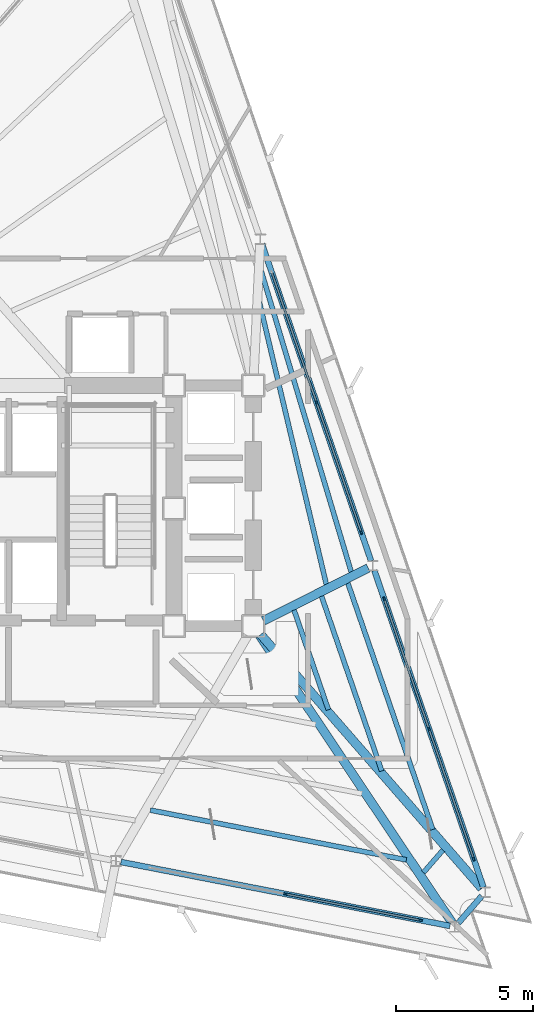
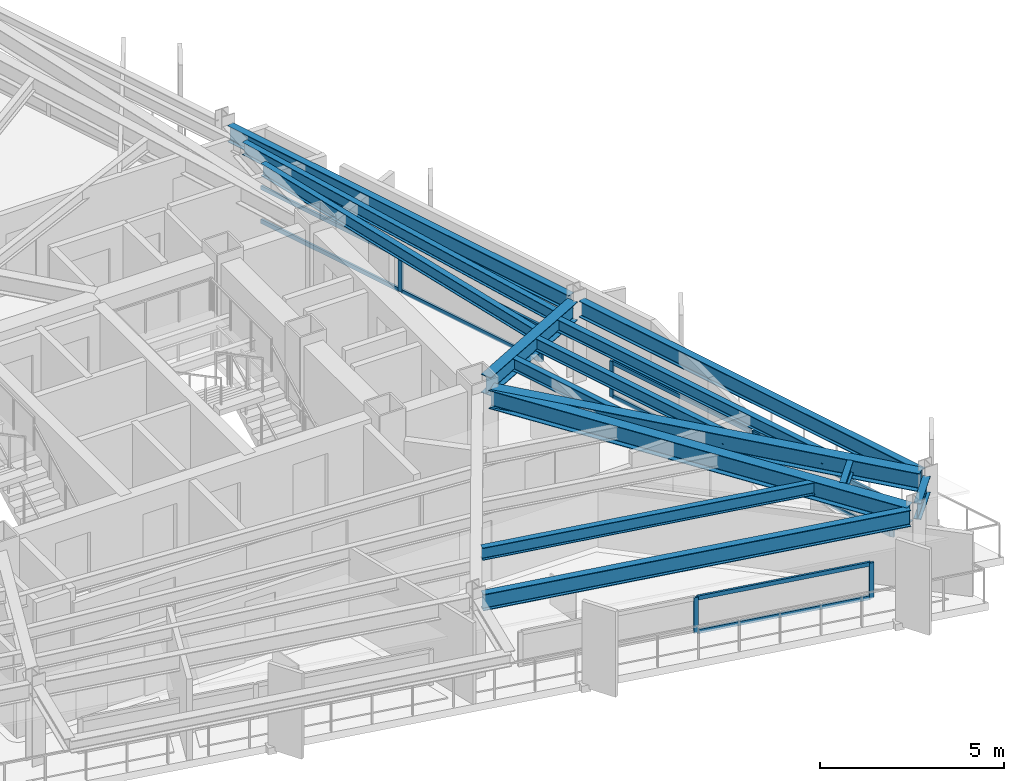
# One storey, part 6 of 14: 17 members, 14 beams, 3 elements without a shape of their own.
"""IFC4 building model written with IfcOpenShell, lengths in metres."""

from ifc_helpers import new_model, si_unit, direction, frame, origin, origin_2d, place, context, subcontext, project, spatial, rectangle, i_section, extrude, material, layer, layer_set, material_profile, profile_set, type_object, element, aggregate, save


model = new_model("IFC4")

# Units and contexts
model_context = context("Model", 3, precision=1e-05, world=origin(), true_north=direction((0.0, 1.0)))
body_context = subcontext(model_context, "Body", "Model", "MODEL_VIEW")
ifc_project = project(units=[si_unit("LENGTHUNIT", "METRE"), si_unit("AREAUNIT", "SQUARE_METRE"), si_unit("VOLUMEUNIT", "CUBIC_METRE"), si_unit("PLANEANGLEUNIT", "RADIAN"), si_unit("MASSUNIT", "GRAM", prefix="KILO")], contexts=[model_context])

# Site, building, storey
site_placement = place(None, origin())
site = spatial("IfcSite", under=ifc_project, at=site_placement, CompositionType="ELEMENT")
building_placement = place(site_placement, origin())
building = spatial("IfcBuilding", under=site, at=building_placement, Name="Rocaltana Carrier Exchange", CompositionType="ELEMENT")
storey_placement = place(building_placement, frame((0.0, 0.0, 168.47998046875)))
storey = spatial("IfcBuildingStorey", under=building, at=storey_placement, Name="L53", CompositionType="ELEMENT", Elevation=168.47998046875)

# Curtain wall, members
ifc_material_1 = material(Name="Aluminium 6063-T6", Category="aluminium")
ifc_layer = layer(ifc_material_1, 0.135009765625)
ifc_layer_set = layer_set([ifc_layer], Name="Aluminium 6063-T6")
curtain_wall_type = type_object("IfcCurtainWallType", Name="Upper-Mid Acoustic Curtain Wall CW-04", PredefinedType="NOTDEFINED", material=ifc_layer_set)
curtain_wall_1_placement = place(storey_placement, origin())
curtain_wall_1 = element("IfcCurtainWall", 1, at=curtain_wall_1_placement, inside=storey, type_object=curtain_wall_type, Name="L53 CW-04 Run CW-L53-F1S1", PredefinedType="NOTDEFINED")
ifc_material_2 = material(Name="Aluminium 6063-T6", Category="aluminium")
ifc_material_profile_1 = material_profile(ifc_material_2, rectangle(XDim=0.06494140625, YDim=0.135009765625, at=origin_2d()), Name="AL-65X135")
ifc_profile_set_1 = profile_set([ifc_material_profile_1], Name="Aluminium 6063-T6")
member_type_1 = type_object("IfcMemberType", Name="CW-04 Mullion AL-65X135", PredefinedType="MULLION", material=ifc_profile_set_1)
member_1_placement = place(storey_placement, frame((17.016357421875, -12.826171875, 0.0), z_axis=(0.0, 0.0, 1.0), x_axis=(-0.945521800517, -0.325558788464, 0.0)))
member_1 = element("IfcMember", 2, at=member_1_placement, type_object=member_type_1, Name="CW-04 mullion 1", PredefinedType="MULLION", context=body_context, shape_type="SweptSolid", body=[
    extrude(rectangle(XDim=0.06494140625, YDim=0.135009765625, at=origin_2d()), origin(), (0.0, 0.0, 1.0), 1.177978515625),
])
member_2_placement = place(storey_placement, frame((15.37744140625, -8.06640625, 0.0), z_axis=(0.0, 0.0, 1.0), x_axis=(-0.945521800517, -0.325558788464, 0.0)))
member_2 = element("IfcMember", 3, at=member_2_placement, type_object=member_type_1, Name="CW-04 mullion 2", PredefinedType="MULLION", context=body_context, shape_type="SweptSolid", body=[
    extrude(rectangle(XDim=0.06494140625, YDim=0.135009765625, at=origin_2d()), origin(), (0.0, 0.0, 1.0), 1.177978515625),
])
member_3_placement = place(storey_placement, frame((13.738525390625, -3.306396484375, 0.0), z_axis=(0.0, 0.0, 1.0), x_axis=(-0.945521800517, -0.325558788464, 0.0)))
member_3 = element("IfcMember", 4, at=member_3_placement, type_object=member_type_1, Name="CW-04 mullion 3", PredefinedType="MULLION", context=body_context, shape_type="SweptSolid", body=[
    extrude(rectangle(XDim=0.06494140625, YDim=0.135009765625, at=origin_2d()), origin(), (0.0, 0.0, 1.0), 1.177978515625),
])

curtain_wall_2_placement = place(storey_placement, origin())
curtain_wall_2 = element("IfcCurtainWall", 5, at=curtain_wall_2_placement, inside=storey, type_object=curtain_wall_type, Name="L53 CW-04 Run CW-L53-F1S2", PredefinedType="NOTDEFINED")
member_4_placement = place(storey_placement, frame((12.9033203125, -0.881103515625, 0.0), z_axis=(0.0, 0.0, 1.0), x_axis=(-0.945520754562, -0.32556182622, 0.0)))
member_4 = element("IfcMember", 6, at=member_4_placement, type_object=member_type_1, Name="CW-04 mullion 1", PredefinedType="MULLION", context=body_context, shape_type="SweptSolid", body=[
    extrude(rectangle(XDim=0.06494140625, YDim=0.135009765625, at=origin_2d()), origin(), (0.0, 0.0, 1.0), 1.177978515625),
])
member_5_placement = place(storey_placement, frame((11.264404296875, 3.878662109375, 0.0), z_axis=(0.0, 0.0, 1.0), x_axis=(-0.945520754562, -0.32556182622, 0.0)))
member_5 = element("IfcMember", 7, at=member_5_placement, type_object=member_type_1, Name="CW-04 mullion 2", PredefinedType="MULLION", context=body_context, shape_type="SweptSolid", body=[
    extrude(rectangle(XDim=0.06494140625, YDim=0.135009765625, at=origin_2d()), origin(), (0.0, 0.0, 1.0), 1.177978515625),
])

curtain_wall_3_placement = place(storey_placement, origin())
curtain_wall_3 = element("IfcCurtainWall", 8, at=curtain_wall_3_placement, inside=storey, type_object=curtain_wall_type, Name="L53 CW-04 Run CW-L53-F3S3", PredefinedType="NOTDEFINED")
member_6_placement = place(storey_placement, frame((10.1279296875, -14.105224609375, 0.0), z_axis=(0.0, 0.0, 1.0), x_axis=(0.190805209699, 0.981627919301, 0.0)))
member_6 = element("IfcMember", 9, at=member_6_placement, type_object=member_type_1, Name="CW-04 mullion 2", PredefinedType="MULLION", context=body_context, shape_type="SweptSolid", body=[
    extrude(rectangle(XDim=0.06494140625, YDim=0.135009765625, at=origin_2d()), origin(), (0.0, 0.0, 1.0), 1.177978515625),
])
member_7_placement = place(storey_placement, frame((15.069580078125, -15.06591796875, 0.0), z_axis=(0.0, 0.0, 1.0), x_axis=(0.190805209699, 0.981627919301, 0.0)))
member_7 = element("IfcMember", 10, at=member_7_placement, type_object=member_type_1, Name="CW-04 mullion 3", PredefinedType="MULLION", context=body_context, shape_type="SweptSolid", body=[
    extrude(rectangle(XDim=0.06494140625, YDim=0.135009765625, at=origin_2d()), origin(), (0.0, 0.0, 1.0), 1.177978515625),
])

# Member
ifc_material_3 = material(Name="Aluminium 6063-T6", Category="aluminium")
ifc_material_profile_2 = material_profile(ifc_material_3, rectangle(XDim=0.06494140625, YDim=0.135009765625, at=origin_2d()), Name="AL-65X135")
ifc_profile_set_2 = profile_set([ifc_material_profile_2], Name="Aluminium 6063-T6")
member_type_2 = type_object("IfcMemberType", Name="CW-04 Transom AL-65X135", PredefinedType="USERDEFINED", material=ifc_profile_set_2)
member_8_placement = place(storey_placement, frame((17.005859375, -12.795654296875, 0.032470703125), z_axis=(-0.325542462737, 0.945527421578, 0.0), x_axis=(-0.945527421578, -0.325542462737, 0.0)))
member_8 = element("IfcMember", 11, at=member_8_placement, type_object=member_type_2, Name="CW-04 transom 1.1", ObjectType="TRANSOM", PredefinedType="USERDEFINED", context=body_context, shape_type="SweptSolid", body=[
    extrude(rectangle(XDim=0.06494140625, YDim=0.135009765625, at=origin_2d()), origin(), (0.0, 0.0, 1.0), 4.96923828125),
])

member_9_placement = place(storey_placement, frame((17.005859375, -12.795654296875, 1.1455078125), z_axis=(-0.325542462737, 0.945527421578, 0.0), x_axis=(-0.945527421578, -0.325542462737, 0.0)))
member_9 = element("IfcMember", 12, at=member_9_placement, type_object=member_type_2, Name="CW-04 transom 1.2", ObjectType="TRANSOM", PredefinedType="USERDEFINED", context=body_context, shape_type="SweptSolid", body=[
    extrude(rectangle(XDim=0.06494140625, YDim=0.135009765625, at=origin_2d()), origin(), (0.0, 0.0, 1.0), 4.96923828125),
])

member_10_placement = place(storey_placement, frame((15.366943359375, -8.03564453125, 0.032470703125), z_axis=(-0.325542462737, 0.945527421578, 0.0), x_axis=(-0.945527421578, -0.325542462737, 0.0)))
member_10 = element("IfcMember", 13, at=member_10_placement, type_object=member_type_2, Name="CW-04 transom 2.1", ObjectType="TRANSOM", PredefinedType="USERDEFINED", context=body_context, shape_type="SweptSolid", body=[
    extrude(rectangle(XDim=0.06494140625, YDim=0.135009765625, at=origin_2d()), origin(), (0.0, 0.0, 1.0), 4.96923828125),
])

member_11_placement = place(storey_placement, frame((15.366943359375, -8.03564453125, 1.1455078125), z_axis=(-0.325542462737, 0.945527421578, 0.0), x_axis=(-0.945527421578, -0.325542462737, 0.0)))
member_11 = element("IfcMember", 14, at=member_11_placement, type_object=member_type_2, Name="CW-04 transom 2.2", ObjectType="TRANSOM", PredefinedType="USERDEFINED", context=body_context, shape_type="SweptSolid", body=[
    extrude(rectangle(XDim=0.06494140625, YDim=0.135009765625, at=origin_2d()), origin(), (0.0, 0.0, 1.0), 4.96923828125),
])

aggregate(curtain_wall_1, [member_1, member_2, member_3, member_8, member_9, member_10, member_11])

member_12_placement = place(storey_placement, frame((12.892822265625, -0.850341796875, 0.032470703125), z_axis=(-0.325557586399, 0.945522214407, 0.0), x_axis=(-0.945522214407, -0.325557586399, 0.0)))
member_12 = element("IfcMember", 15, at=member_12_placement, type_object=member_type_2, Name="CW-04 transom 1.1", ObjectType="TRANSOM", PredefinedType="USERDEFINED", context=body_context, shape_type="SweptSolid", body=[
    extrude(rectangle(XDim=0.06494140625, YDim=0.135009765625, at=origin_2d()), origin(), (0.0, 0.0, 1.0), 4.968994140625),
])

member_13_placement = place(storey_placement, frame((12.892822265625, -0.850341796875, 1.1455078125), z_axis=(-0.325557586399, 0.945522214407, 0.0), x_axis=(-0.945522214407, -0.325557586399, 0.0)))
member_13 = element("IfcMember", 16, at=member_13_placement, type_object=member_type_2, Name="CW-04 transom 1.2", ObjectType="TRANSOM", PredefinedType="USERDEFINED", context=body_context, shape_type="SweptSolid", body=[
    extrude(rectangle(XDim=0.06494140625, YDim=0.135009765625, at=origin_2d()), origin(), (0.0, 0.0, 1.0), 4.968994140625),
])

member_14_placement = place(storey_placement, frame((11.25390625, 3.909423828125, 0.032470703125), z_axis=(-0.325542462737, 0.945527421578, 0.0), x_axis=(-0.945527421578, -0.325542462737, 0.0)))
member_14 = element("IfcMember", 17, at=member_14_placement, type_object=member_type_2, Name="CW-04 transom 2.1", ObjectType="TRANSOM", PredefinedType="USERDEFINED", context=body_context, shape_type="SweptSolid", body=[
    extrude(rectangle(XDim=0.06494140625, YDim=0.135009765625, at=origin_2d()), origin(), (0.0, 0.0, 1.0), 4.96923828125),
])

member_15_placement = place(storey_placement, frame((11.25390625, 3.909423828125, 1.1455078125), z_axis=(-0.325542462737, 0.945527421578, 0.0), x_axis=(-0.945527421578, -0.325542462737, 0.0)))
member_15 = element("IfcMember", 18, at=member_15_placement, type_object=member_type_2, Name="CW-04 transom 2.2", ObjectType="TRANSOM", PredefinedType="USERDEFINED", context=body_context, shape_type="SweptSolid", body=[
    extrude(rectangle(XDim=0.06494140625, YDim=0.135009765625, at=origin_2d()), origin(), (0.0, 0.0, 1.0), 4.96923828125),
])

aggregate(curtain_wall_2, [member_4, member_5, member_12, member_13, member_14, member_15])

member_16_placement = place(storey_placement, frame((10.159912109375, -14.111572265625, 0.032470703125), z_axis=(0.981633795462, -0.190774976365, 0.0), x_axis=(0.190774976365, 0.981633795462, 0.0)))
member_16 = element("IfcMember", 19, at=member_16_placement, type_object=member_type_2, Name="CW-04 transom 2.1", ObjectType="TRANSOM", PredefinedType="USERDEFINED", context=body_context, shape_type="SweptSolid", body=[
    extrude(rectangle(XDim=0.06494140625, YDim=0.135009765625, at=origin_2d()), origin(), (0.0, 0.0, 1.0), 4.96923828125),
])

member_17_placement = place(storey_placement, frame((10.159912109375, -14.111572265625, 1.1455078125), z_axis=(0.981633795462, -0.190774976365, 0.0), x_axis=(0.190774976365, 0.981633795462, 0.0)))
member_17 = element("IfcMember", 20, at=member_17_placement, type_object=member_type_2, Name="CW-04 transom 2.2", ObjectType="TRANSOM", PredefinedType="USERDEFINED", context=body_context, shape_type="SweptSolid", body=[
    extrude(rectangle(XDim=0.06494140625, YDim=0.135009765625, at=origin_2d()), origin(), (0.0, 0.0, 1.0), 4.96923828125),
])

aggregate(curtain_wall_3, [member_6, member_7, member_16, member_17])

# Beams
ifc_material_4 = material(Name="Steel S355", Category="steel")
ifc_material_profile_3 = material_profile(ifc_material_4, i_section(OverallWidth=0.179931640625, OverallDepth=0.4130859375, WebThickness=0.009765625, FlangeThickness=0.01611328125, FilletRadius=0.012939453125, at=origin_2d()), Name="W16X50")
ifc_profile_set_3 = profile_set([ifc_material_profile_3], Name="Steel S355")
beam_type_1 = type_object("IfcBeamType", Name="Floor Joist W16X50", PredefinedType="JOIST", material=ifc_profile_set_3)
beam_1_placement = place(storey_placement, frame((11.698974609375, -7.3662109375, 2.511474609375), z_axis=(-0.325612206056, 0.94550340627, 0.0), x_axis=(-0.94550340627, -0.325612206056, 0.0)))
element("IfcBeam", 21, at=beam_1_placement, inside=storey, type_object=beam_type_1, Name="FJ-L53-01-1", PredefinedType="JOIST", context=body_context, shape_type="SweptSolid", body=[
    extrude(i_section(OverallWidth=0.179931640625, OverallDepth=0.4130859375, WebThickness=0.009765625, FlangeThickness=0.01611328125, FilletRadius=0.012939453125, at=origin_2d()), origin(), (0.0, 0.0, 1.0), 3.85693359375),
])
beam_2_placement = place(storey_placement, frame((13.650390625, -9.606201171875, 2.511474609375), z_axis=(-0.325591245861, 0.945510624276, 0.0), x_axis=(-0.945510624276, -0.325591245861, 0.0)))
element("IfcBeam", 22, at=beam_2_placement, inside=storey, type_object=beam_type_1, Name="FJ-L53-01-2", PredefinedType="JOIST", context=body_context, shape_type="SweptSolid", body=[
    extrude(i_section(OverallWidth=0.179931640625, OverallDepth=0.4130859375, WebThickness=0.009765625, FlangeThickness=0.01611328125, FilletRadius=0.012939453125, at=origin_2d()), origin(), (0.0, 0.0, 1.0), 6.7626953125),
])
beam_3_placement = place(storey_placement, frame((15.5166015625, -11.748779296875, 2.511474609375), z_axis=(-0.325561689651, 0.945520801586, 0.0), x_axis=(-0.945520801586, -0.325561689651, 0.0)))
element("IfcBeam", 23, at=beam_3_placement, inside=storey, type_object=beam_type_1, Name="FJ-L53-01-3", PredefinedType="JOIST", context=body_context, shape_type="SweptSolid", body=[
    extrude(i_section(OverallWidth=0.179931640625, OverallDepth=0.4130859375, WebThickness=0.009765625, FlangeThickness=0.01611328125, FilletRadius=0.012939453125, at=origin_2d()), origin(), (0.0, 0.0, 1.0), 9.541748046875),
])
beam_4_placement = place(storey_placement, frame((11.6240234375, -2.780517578125, 2.511474609375), z_axis=(-0.230805777183, 0.972999842353, 0.0), x_axis=(-0.972999842353, -0.230805777183, 0.0)))
element("IfcBeam", 24, at=beam_4_placement, inside=storey, type_object=beam_type_1, Name="FJ-L53-02-2", PredefinedType="JOIST", context=body_context, shape_type="SweptSolid", body=[
    extrude(i_section(OverallWidth=0.179931640625, OverallDepth=0.4130859375, WebThickness=0.009765625, FlangeThickness=0.01611328125, FilletRadius=0.012939453125, at=origin_2d()), origin(), (0.0, 0.0, 1.0), 10.736328125),
])
beam_5_placement = place(storey_placement, frame((12.533203125, -2.3193359375, 2.511474609375), z_axis=(-0.286621662233, 0.9580438522, 0.0), x_axis=(-0.9580438522, -0.286621662233, 0.0)))
element("IfcBeam", 25, at=beam_5_placement, inside=storey, type_object=beam_type_1, Name="FJ-L53-02-3", PredefinedType="JOIST", context=body_context, shape_type="SweptSolid", body=[
    extrude(i_section(OverallWidth=0.179931640625, OverallDepth=0.4130859375, WebThickness=0.009765625, FlangeThickness=0.01611328125, FilletRadius=0.012939453125, at=origin_2d()), origin(), (0.0, 0.0, 1.0), 11.597900390625),
])
beam_6_placement = place(storey_placement, frame((5.185546875, -11.037841796875, 2.511474609375), z_axis=(0.981630034489, -0.190794327456, 0.0), x_axis=(0.190794327456, 0.981630034489, 0.0)))
element("IfcBeam", 26, at=beam_6_placement, inside=storey, type_object=beam_type_1, Name="FJ-L53-11-3", PredefinedType="JOIST", context=body_context, shape_type="SweptSolid", body=[
    extrude(i_section(OverallWidth=0.179931640625, OverallDepth=0.4130859375, WebThickness=0.009765625, FlangeThickness=0.01611328125, FilletRadius=0.012939453125, at=origin_2d()), origin(), (0.0, 0.0, 1.0), 9.5419921875),
])
beam_7_placement = place(storey_placement, frame((15.176513671875, -13.321044921875, 2.511474609375), z_axis=(0.65606745581, 0.754702254817, 0.0), x_axis=(-0.754702254817, 0.65606745581, 0.0)))
element("IfcBeam", 27, at=beam_7_placement, inside=storey, type_object=beam_type_1, Name="FJ-L53-12-3", PredefinedType="JOIST", context=body_context, shape_type="SweptSolid", body=[
    extrude(i_section(OverallWidth=0.179931640625, OverallDepth=0.4130859375, WebThickness=0.009765625, FlangeThickness=0.01611328125, FilletRadius=0.012939453125, at=origin_2d()), origin(), (0.0, 0.0, 1.0), 1.086669921875),
])
ifc_material_5 = material(Name="Steel S355", Category="steel")
ifc_material_profile_4 = material_profile(ifc_material_5, i_section(OverallWidth=0.323974609375, OverallDepth=0.611083984375, WebThickness=0.0126953125, FlangeThickness=0.01904296875, FilletRadius=0.01611328125, at=origin_2d()), Name="W24X104")
ifc_profile_set_4 = profile_set([ifc_material_profile_4], Name="Steel S355")
beam_type_2 = type_object("IfcBeamType", Name="Radial Girder W24X104", PredefinedType="BEAM", material=ifc_profile_set_4)
beam_8_placement = place(storey_placement, frame((9.223876953125, -4.614501953125, 2.41259765625), z_axis=(0.656870571987, -0.754003349898, 0.0), x_axis=(0.754003349898, 0.656870571987, 0.0)))
element("IfcBeam", 28, at=beam_8_placement, inside=storey, type_object=beam_type_2, Name="RG-L53-01", PredefinedType="BEAM", context=body_context, shape_type="SweptSolid", body=[
    extrude(i_section(OverallWidth=0.323974609375, OverallDepth=0.611083984375, WebThickness=0.0126953125, FlangeThickness=0.01904296875, FilletRadius=0.01611328125, at=origin_2d()), origin(), (0.0, 0.0, 1.0), 12.3134765625),
])
beam_9_placement = place(storey_placement, frame((9.322265625, -4.112060546875, 2.41259765625), z_axis=(0.892749276304, 0.450553803289, 0.0), x_axis=(-0.450553803289, 0.892749276304, 0.0)))
element("IfcBeam", 29, at=beam_9_placement, inside=storey, type_object=beam_type_2, Name="RG-L53-02", PredefinedType="BEAM", context=body_context, shape_type="SweptSolid", body=[
    extrude(i_section(OverallWidth=0.323974609375, OverallDepth=0.611083984375, WebThickness=0.0126953125, FlangeThickness=0.01904296875, FilletRadius=0.01611328125, at=origin_2d()), origin(), (0.0, 0.0, 1.0), 4.293701171875),
])
beam_10_placement = place(storey_placement, frame((9.18212890625, -4.646484375, 2.41259765625), z_axis=(0.556698056757, -0.830714917166, 0.0), x_axis=(0.830714917166, 0.556698056757, 0.0)))
element("IfcBeam", 30, at=beam_10_placement, inside=storey, type_object=beam_type_2, Name="RG-L53-12", PredefinedType="BEAM", context=body_context, shape_type="SweptSolid", body=[
    extrude(i_section(OverallWidth=0.323974609375, OverallDepth=0.611083984375, WebThickness=0.0126953125, FlangeThickness=0.01904296875, FilletRadius=0.01611328125, at=origin_2d()), origin(), (0.0, 0.0, 1.0), 12.65185546875),
])
ifc_material_6 = material(Name="Steel S355", Category="steel")
ifc_material_profile_5 = material_profile(ifc_material_6, i_section(OverallWidth=0.2119140625, OverallDepth=0.5439453125, WebThickness=0.01318359375, FlangeThickness=0.021240234375, FilletRadius=0.014892578125, at=origin_2d()), Name="W21X83")
ifc_profile_set_5 = profile_set([ifc_material_profile_5], Name="Steel S355")
beam_type_3 = type_object("IfcBeamType", Name="Spandrel Edge Beam W21X83", PredefinedType="SPANDREL", material=ifc_profile_set_5)
for number, where, z_axis, x_axis, name in (
    (31, (17.37353515625, -13.863525390625, 2.446044921875), (-0.325566047792, 0.94551930098, 0.0), (-0.94551930098, -0.325566047792, 0.0), "SP-L53-01"),
    (32, (13.260498046875, -1.91845703125, 2.446044921875), (-0.325566047792, 0.94551930098, 0.0), (-0.94551930098, -0.325566047792, 0.0), "SP-L53-02"),
    (33, (4.109619140625, -12.935302734375, 2.446044921875), (0.981625439555, -0.19081796671, 0.0), (0.19081796671, 0.981625439555, 0.0), "SP-L53-11"),
):
    element("IfcBeam", number, at=place(storey_placement, frame(where, z_axis=z_axis, x_axis=x_axis)), inside=storey, type_object=beam_type_3, Name=name, PredefinedType="SPANDREL", context=body_context, shape_type="SweptSolid", body=[
        extrude(i_section(OverallWidth=0.2119140625, OverallDepth=0.5439453125, WebThickness=0.01318359375, FlangeThickness=0.021240234375, FilletRadius=0.014892578125, at=origin_2d()), origin(), (0.0, 0.0, 1.0), 12.26220703125),
    ])
beam_11_placement = place(storey_placement, frame((16.4501953125, -15.17041015625, 2.446044921875), z_axis=(0.656146510071, 0.754633525177, 0.0), x_axis=(-0.754633525177, 0.656146510071, 0.0)))
element("IfcBeam", 34, at=beam_11_placement, inside=storey, type_object=beam_type_3, Name="SP-L53-12", PredefinedType="SPANDREL", context=body_context, shape_type="SweptSolid", body=[
    extrude(i_section(OverallWidth=0.2119140625, OverallDepth=0.5439453125, WebThickness=0.01318359375, FlangeThickness=0.021240234375, FilletRadius=0.014892578125, at=origin_2d()), origin(), (0.0, 0.0, 1.0), 1.313720703125),
])

save(model, "model.ifc")
